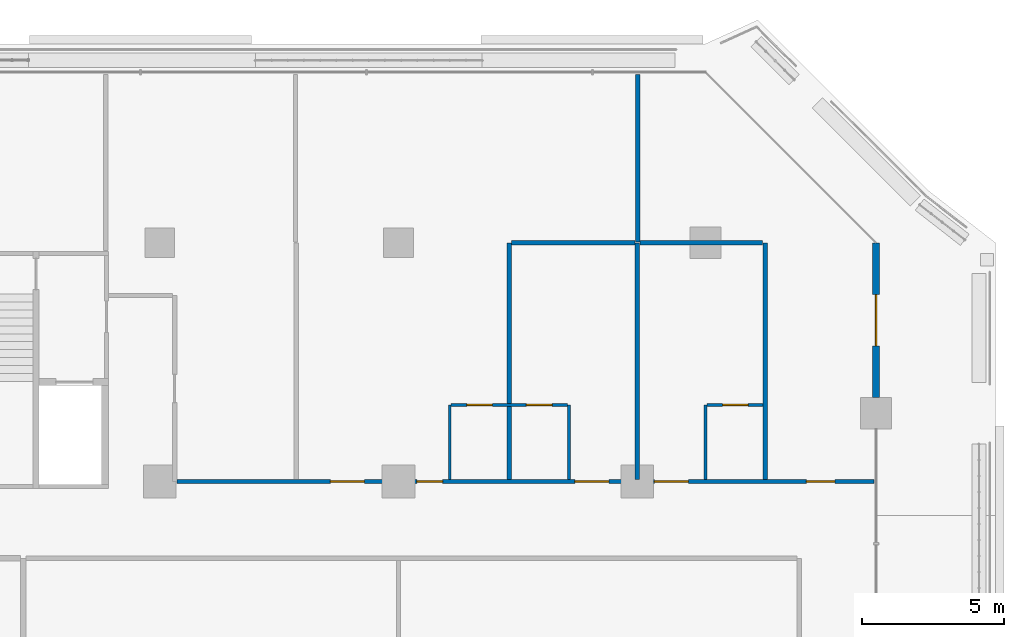
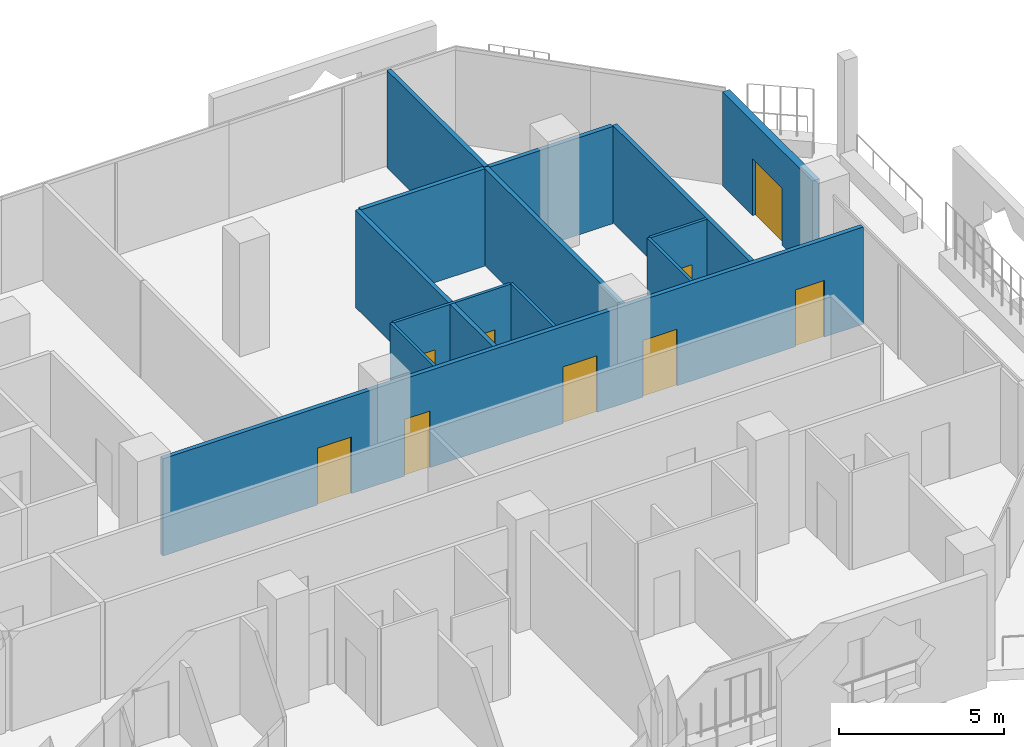
# One storey, part 17 of 26: 13 walls, 9 doors, 9 openings.
"""IFC4 building model written with IfcOpenShell, lengths in metres."""

from ifc_helpers import new_model, si_unit, direction, frame, frame_2d, origin, place, context, subcontext, project, spatial, rectangle, extrude, material, layer, layer_set, type_object, element, fill, save


model = new_model("IFC4")

# Units and contexts
model_context = context("Model", 3, precision=1e-05, world=origin(), true_north=direction((0.0, 1.0)))
body_context = subcontext(model_context, "Body", "Model", "MODEL_VIEW")
ifc_project = project(units=[si_unit("LENGTHUNIT", "METRE"), si_unit("AREAUNIT", "SQUARE_METRE"), si_unit("VOLUMEUNIT", "CUBIC_METRE"), si_unit("PLANEANGLEUNIT", "RADIAN"), si_unit("MASSUNIT", "GRAM", prefix="KILO")], contexts=[model_context])

# Site, building, storey
site_placement = place(None, origin())
site = spatial("IfcSite", under=ifc_project, at=site_placement, CompositionType="ELEMENT")
building_placement = place(site_placement, origin())
building = spatial("IfcBuilding", under=site, at=building_placement, Name="Kawkab Arch Medical Tower", CompositionType="ELEMENT")
storey_placement = place(building_placement, frame((0.0, 0.0, 119.800048828125)))
storey = spatial("IfcBuildingStorey", under=building, at=storey_placement, Name="L27", CompositionType="ELEMENT", Elevation=119.800048828125)

# Wall, opening, door
ifc_material_1 = material(Name="Bronze clad insulated wall panel")
ifc_layer_1 = layer(ifc_material_1, 0.25)
ifc_layer_set_1 = layer_set([ifc_layer_1], Name="Bronze clad insulated wall panel")
wall_type_1 = type_object("IfcWallType", Name="External wall bay 250", PredefinedType="SOLIDWALL", material=ifc_layer_set_1)
wall_1_placement = place(storey_placement, frame((75.60009765625, -5.449951171875, 0.0), z_axis=(0.0, 0.0, 1.0), x_axis=(0.0, 1.0, 0.0)))
wall_1 = element("IfcWall", 1, at=wall_1_placement, inside=storey, type_object=wall_type_1, Name="External wall bay L27.R09.2.1", PredefinedType="SOLIDWALL", context=body_context, shape_type="SweptSolid", body=[
    extrude(rectangle(XDim=5.449951171875, YDim=0.25, at=frame_2d((2.72509765625, 0.0))), origin(), (0.0, 0.0, 1.0), 3.47998046875),
])
opening_1_placement = place(wall_1_placement, frame((1.824951171875, 0.0, 0.0)))
opening_1 = element("IfcOpeningElement", 2, at=opening_1_placement, cuts=wall_1, Name="Opening W27-701", PredefinedType="OPENING", context=body_context, shape_type="SweptSolid", body=[
    extrude(rectangle(XDim=1.800048828125, YDim=2.10009765625, at=frame_2d((0.89990234375, 1.050048828125))), frame((0.0, 0.135009765625, 0.0), z_axis=(0.0, -1.0, 0.0), x_axis=(1.0, 0.0, 0.0)), (0.0, 0.0, 1.0), 0.27001953125),
])
ifc_material_2 = material(Name="Bronze anodised aluminium door with tinted glass", Category="aluminium")
door_type_1 = type_object("IfcDoorType", Name="Double external door 1800 x 2100", OperationType="DOUBLE_DOOR_SINGLE_SWING", PredefinedType="DOOR", material=ifc_material_2)
door_1_placement = place(opening_1_placement, origin())
door_1 = element("IfcDoor", 3, at=door_1_placement, inside=storey, type_object=door_type_1, Name="External door L27.R09.2.1", OperationType="DOUBLE_DOOR_SINGLE_SWING", OverallHeight=2.10009765625, OverallWidth=1.800048828125, PredefinedType="DOOR", context=body_context, shape_type="SweptSolid", body=[
    extrude(rectangle(XDim=1.800048828125, YDim=2.10009765625, at=frame_2d((0.89990234375, 1.050048828125))), frame((0.0, 0.02490234375, 0.0), z_axis=(0.0, -1.0, 0.0), x_axis=(1.0, 0.0, 0.0)), (0.0, 0.0, 1.0), 0.050048828125),
])
fill(opening_1, door_1)

# Wall, openings, doors
ifc_material_3 = material(Name="Gypsum board partition on steel studs", Category="steel")
ifc_layer_2 = layer(ifc_material_3, 0.10009765625)
ifc_layer_set_2 = layer_set([ifc_layer_2], Name="Gypsum board partition on steel studs")
wall_type_2 = type_object("IfcWallType", Name="Partition 100", PredefinedType="PARTITIONING", material=ifc_layer_set_2)
wall_2_placement = place(storey_placement, frame((60.652099609375, -5.699951171875, 0.0), z_axis=(0.0, 0.0, 1.0), x_axis=(1.0, 0.0, 0.0)))
wall_2 = element("IfcWall", 4, at=wall_2_placement, inside=storey, type_object=wall_type_2, Name="Partition 100 w012", PredefinedType="PARTITIONING", context=body_context, shape_type="SweptSolid", body=[
    extrude(rectangle(XDim=4.097900390625, YDim=0.10009765625, at=frame_2d((2.048828125, 0.0))), origin(), (0.0, 0.0, 1.0), 3.599853515625),
])
opening_2_placement = place(wall_2_placement, frame((0.549072265625, 0.0, 0.0)))
opening_2 = element("IfcOpeningElement", 5, at=opening_2_placement, cuts=wall_2, Name="Opening W27-005", PredefinedType="OPENING", context=body_context, shape_type="SweptSolid", body=[
    extrude(rectangle(XDim=0.89990234375, YDim=2.10009765625, at=frame_2d((0.449951171875, 1.050048828125))), frame((0.0, 0.06005859375, 0.0), z_axis=(0.0, -1.0, 0.0), x_axis=(1.0, 0.0, 0.0)), (0.0, 0.0, 1.0), 0.1201171875),
])
opening_3_placement = place(wall_2_placement, frame((2.64794921875, 0.0, 0.0)))
opening_3 = element("IfcOpeningElement", 6, at=opening_3_placement, cuts=wall_2, Name="Opening W27-006", PredefinedType="OPENING", context=body_context, shape_type="SweptSolid", body=[
    extrude(rectangle(XDim=0.89990234375, YDim=2.10009765625, at=frame_2d((0.449951171875, 1.050048828125))), frame((0.0, 0.06005859375, 0.0), z_axis=(0.0, -1.0, 0.0), x_axis=(1.0, 0.0, 0.0)), (0.0, 0.0, 1.0), 0.1201171875),
])
ifc_material_4 = material(Name="Timber door leaf", Category="wood")
door_type_2 = type_object("IfcDoorType", Name="Single door 900x2100", OperationType="NOTDEFINED", PredefinedType="DOOR", material=ifc_material_4)
door_2_placement = place(opening_2_placement, origin())
door_2 = element("IfcDoor", 7, at=door_2_placement, inside=storey, type_object=door_type_2, Name="Door W27-005", OperationType="SINGLE_SWING_LEFT", OverallHeight=2.10009765625, OverallWidth=0.89990234375, PredefinedType="DOOR", context=body_context, shape_type="SweptSolid", body=[
    extrude(rectangle(XDim=0.89990234375, YDim=2.10009765625, at=frame_2d((0.449951171875, 1.050048828125))), frame((0.0, 0.02490234375, 0.0), z_axis=(0.0, -1.0, 0.0), x_axis=(1.0, 0.0, 0.0)), (0.0, 0.0, 1.0), 0.050048828125),
])
fill(opening_2, door_2)
door_3_placement = place(opening_3_placement, origin())
door_3 = element("IfcDoor", 8, at=door_3_placement, inside=storey, type_object=door_type_2, Name="Door W27-006", OperationType="SINGLE_SWING_RIGHT", OverallHeight=2.10009765625, OverallWidth=0.89990234375, PredefinedType="DOOR", context=body_context, shape_type="SweptSolid", body=[
    extrude(rectangle(XDim=0.89990234375, YDim=2.10009765625, at=frame_2d((0.449951171875, 1.050048828125))), frame((0.0, 0.02490234375, 0.0), z_axis=(0.0, -1.0, 0.0), x_axis=(1.0, 0.0, 0.0)), (0.0, 0.0, 1.0), 0.050048828125),
])
fill(opening_3, door_3)

# Wall, opening, door
wall_3_placement = place(storey_placement, frame((69.64990234375, -5.699951171875, 0.0), z_axis=(0.0, 0.0, 1.0), x_axis=(1.0, 0.0, 0.0)))
wall_3 = element("IfcWall", 9, at=wall_3_placement, inside=storey, type_object=wall_type_2, Name="Partition 100 w013", PredefinedType="PARTITIONING", context=body_context, shape_type="SweptSolid", body=[
    extrude(rectangle(XDim=1.97509765625, YDim=0.10009765625, at=frame_2d((0.987548828125, 0.0))), origin(), (0.0, 0.0, 1.0), 3.599853515625),
])
opening_4_placement = place(wall_3_placement, frame((0.550048828125, 0.0, 0.0)))
opening_4 = element("IfcOpeningElement", 10, at=opening_4_placement, cuts=wall_3, Name="Opening W27-007", PredefinedType="OPENING", context=body_context, shape_type="SweptSolid", body=[
    extrude(rectangle(XDim=0.89990234375, YDim=2.10009765625, at=frame_2d((0.449951171875, 1.050048828125))), frame((0.0, 0.06005859375, 0.0), z_axis=(0.0, -1.0, 0.0), x_axis=(1.0, 0.0, 0.0)), (0.0, 0.0, 1.0), 0.1201171875),
])
door_4_placement = place(opening_4_placement, origin())
door_4 = element("IfcDoor", 11, at=door_4_placement, inside=storey, type_object=door_type_2, Name="Door W27-007", OperationType="SINGLE_SWING_LEFT", OverallHeight=2.10009765625, OverallWidth=0.89990234375, PredefinedType="DOOR", context=body_context, shape_type="SweptSolid", body=[
    extrude(rectangle(XDim=0.89990234375, YDim=2.10009765625, at=frame_2d((0.449951171875, 1.050048828125))), frame((0.0, 0.02490234375, 0.0), z_axis=(0.0, -1.0, 0.0), x_axis=(1.0, 0.0, 0.0)), (0.0, 0.0, 1.0), 0.050048828125),
])
fill(opening_4, door_4)

# Walls
wall_4_placement = place(storey_placement, frame((60.60009765625, -8.324951171875, 0.0), z_axis=(0.0, 0.0, 1.0), x_axis=(0.0, 1.0, 0.0)))
element("IfcWall", 12, at=wall_4_placement, inside=storey, type_object=wall_type_2, Name="Partition 100 w024", PredefinedType="PARTITIONING", context=body_context, shape_type="SweptSolid", body=[
    extrude(rectangle(XDim=2.6240234375, YDim=0.10009765625, at=frame_2d((1.31201171875, 0.0))), origin(), (0.0, 0.0, 1.0), 3.599853515625),
])
for number, where, z_axis, x_axis, name in (
    (13, (64.800048828125, -8.324951171875, 0.0), (0.0, 0.0, 1.0), (0.0, 1.0, 0.0), "Partition 100 w026"),
    (14, (69.60009765625, -8.324951171875, 0.0), (0.0, 0.0, 1.0), (0.0, 1.0, 0.0), "Partition 100 w029"),
):
    element("IfcWall", number, at=place(storey_placement, frame(where, z_axis=z_axis, x_axis=x_axis)), inside=storey, type_object=wall_type_2, Name=name, PredefinedType="PARTITIONING", context=body_context, shape_type="SweptSolid", body=[
        extrude(rectangle(XDim=2.625, YDim=0.10009765625, at=frame_2d((1.3125, 0.0))), origin(), (0.0, 0.0, 1.0), 3.599853515625),
    ])

# Wall, openings, doors
ifc_material_5 = material(Name="Gypsum board partition on steel studs, mineral wool", Category="steel")
ifc_layer_3 = layer(ifc_material_5, 0.14990234375)
ifc_layer_set_3 = layer_set([ifc_layer_3], Name="Gypsum board partition on steel studs, mineral wool")
wall_type_3 = type_object("IfcWallType", Name="Partition 150", PredefinedType="PARTITIONING", material=ifc_layer_set_3)
wall_5_placement = place(storey_placement, frame((51.0, -8.39990234375, 0.0), z_axis=(0.0, 0.0, 1.0), x_axis=(1.0, 0.0, 0.0)))
wall_5 = element("IfcWall", 15, at=wall_5_placement, inside=storey, type_object=wall_type_3, Name="Partition 150 w052", PredefinedType="PARTITIONING", context=body_context, shape_type="SweptSolid", body=[
    extrude(rectangle(XDim=24.52001953125, YDim=0.14990234375, at=frame_2d((12.260009765625, 0.0))), origin(), (0.0, 0.0, 1.0), 3.599853515625),
])
opening_5_placement = place(wall_5_placement, frame((5.39990234375, 0.0, 0.0)))
opening_5 = element("IfcOpeningElement", 16, at=opening_5_placement, cuts=wall_5, Name="Opening W27-038", PredefinedType="OPENING", context=body_context, shape_type="SweptSolid", body=[
    extrude(rectangle(XDim=1.199951171875, YDim=2.10009765625, at=frame_2d((0.60009765625, 1.050048828125))), frame((0.0, 0.0849609375, 0.0), z_axis=(0.0, -1.0, 0.0), x_axis=(1.0, 0.0, 0.0)), (0.0, 0.0, 1.0), 0.169921875),
])
opening_6_placement = place(wall_5_placement, frame((8.449951171875, 0.0, 0.0)))
opening_6 = element("IfcOpeningElement", 17, at=opening_6_placement, cuts=wall_5, Name="Opening W27-019", PredefinedType="OPENING", context=body_context, shape_type="SweptSolid", body=[
    extrude(rectangle(XDim=0.89990234375, YDim=2.10009765625, at=frame_2d((0.449951171875, 1.050048828125))), frame((0.0, 0.0849609375, 0.0), z_axis=(0.0, -1.0, 0.0), x_axis=(1.0, 0.0, 0.0)), (0.0, 0.0, 1.0), 0.169921875),
])
opening_7_placement = place(wall_5_placement, frame((14.0, 0.0, 0.0)))
opening_7 = element("IfcOpeningElement", 18, at=opening_7_placement, cuts=wall_5, Name="Opening W27-039", PredefinedType="OPENING", context=body_context, shape_type="SweptSolid", body=[
    extrude(rectangle(XDim=1.199951171875, YDim=2.10009765625, at=frame_2d((0.60009765625, 1.050048828125))), frame((0.0, 0.0849609375, 0.0), z_axis=(0.0, -1.0, 0.0), x_axis=(1.0, 0.0, 0.0)), (0.0, 0.0, 1.0), 0.169921875),
])
opening_8_placement = place(wall_5_placement, frame((16.800048828125, 0.0, 0.0)))
opening_8 = element("IfcOpeningElement", 19, at=opening_8_placement, cuts=wall_5, Name="Opening W27-040", PredefinedType="OPENING", context=body_context, shape_type="SweptSolid", body=[
    extrude(rectangle(XDim=1.199951171875, YDim=2.10009765625, at=frame_2d((0.60009765625, 1.050048828125))), frame((0.0, 0.0849609375, 0.0), z_axis=(0.0, -1.0, 0.0), x_axis=(1.0, 0.0, 0.0)), (0.0, 0.0, 1.0), 0.169921875),
])
opening_9_placement = place(wall_5_placement, frame((22.14990234375, 0.0, 0.0)))
opening_9 = element("IfcOpeningElement", 20, at=opening_9_placement, cuts=wall_5, Name="Opening W27-025", PredefinedType="OPENING", context=body_context, shape_type="SweptSolid", body=[
    extrude(rectangle(XDim=1.0, YDim=2.10009765625, at=frame_2d((0.5, 1.050048828125))), frame((0.0, 0.0849609375, 0.0), z_axis=(0.0, -1.0, 0.0), x_axis=(1.0, 0.0, 0.0)), (0.0, 0.0, 1.0), 0.169921875),
])
ifc_material_6 = material(Name="Hollow metal door leaf")
door_type_3 = type_object("IfcDoorType", Name="Single door 1000x2100 FD30S", OperationType="NOTDEFINED", PredefinedType="DOOR", material=ifc_material_6)
door_5_placement = place(opening_9_placement, origin())
door_5 = element("IfcDoor", 21, at=door_5_placement, inside=storey, type_object=door_type_3, Name="Door W27-025", OperationType="SINGLE_SWING_RIGHT", OverallHeight=2.10009765625, OverallWidth=1.0, PredefinedType="DOOR", context=body_context, shape_type="SweptSolid", body=[
    extrude(rectangle(XDim=1.0, YDim=2.10009765625, at=frame_2d((0.5, 1.050048828125))), frame((0.0, 0.02490234375, 0.0), z_axis=(0.0, -1.0, 0.0), x_axis=(1.0, 0.0, 0.0)), (0.0, 0.0, 1.0), 0.050048828125),
])
fill(opening_9, door_5)
ifc_material_7 = material(Name="Hollow metal door leaf")
door_type_4 = type_object("IfcDoorType", Name="Single door 1200x2100 FD30S", OperationType="NOTDEFINED", PredefinedType="DOOR", material=ifc_material_7)
door_6_placement = place(opening_5_placement, origin())
door_6 = element("IfcDoor", 22, at=door_6_placement, inside=storey, type_object=door_type_4, Name="Door W27-038", OperationType="SINGLE_SWING_LEFT", OverallHeight=2.10009765625, OverallWidth=1.199951171875, PredefinedType="DOOR", context=body_context, shape_type="SweptSolid", body=[
    extrude(rectangle(XDim=1.199951171875, YDim=2.10009765625, at=frame_2d((0.60009765625, 1.050048828125))), frame((0.0, 0.02490234375, 0.0), z_axis=(0.0, -1.0, 0.0), x_axis=(1.0, 0.0, 0.0)), (0.0, 0.0, 1.0), 0.050048828125),
])
fill(opening_5, door_6)
door_7_placement = place(opening_7_placement, origin())
door_7 = element("IfcDoor", 23, at=door_7_placement, inside=storey, type_object=door_type_4, Name="Door W27-039", OperationType="SINGLE_SWING_RIGHT", OverallHeight=2.10009765625, OverallWidth=1.199951171875, PredefinedType="DOOR", context=body_context, shape_type="SweptSolid", body=[
    extrude(rectangle(XDim=1.199951171875, YDim=2.10009765625, at=frame_2d((0.60009765625, 1.050048828125))), frame((0.0, 0.02490234375, 0.0), z_axis=(0.0, -1.0, 0.0), x_axis=(1.0, 0.0, 0.0)), (0.0, 0.0, 1.0), 0.050048828125),
])
fill(opening_7, door_7)
door_8_placement = place(opening_8_placement, origin())
door_8 = element("IfcDoor", 24, at=door_8_placement, inside=storey, type_object=door_type_4, Name="Door W27-040", OperationType="SINGLE_SWING_RIGHT", OverallHeight=2.10009765625, OverallWidth=1.199951171875, PredefinedType="DOOR", context=body_context, shape_type="SweptSolid", body=[
    extrude(rectangle(XDim=1.199951171875, YDim=2.10009765625, at=frame_2d((0.60009765625, 1.050048828125))), frame((0.0, 0.02490234375, 0.0), z_axis=(0.0, -1.0, 0.0), x_axis=(1.0, 0.0, 0.0)), (0.0, 0.0, 1.0), 0.050048828125),
])
fill(opening_8, door_8)
ifc_material_8 = material(Name="Hollow metal door leaf")
door_type_5 = type_object("IfcDoorType", Name="Single door 900x2100 FD30S", OperationType="NOTDEFINED", PredefinedType="DOOR", material=ifc_material_8)
door_9_placement = place(opening_6_placement, origin())
door_9 = element("IfcDoor", 25, at=door_9_placement, inside=storey, type_object=door_type_5, Name="Door W27-019", OperationType="SINGLE_SWING_LEFT", OverallHeight=2.10009765625, OverallWidth=0.89990234375, PredefinedType="DOOR", context=body_context, shape_type="SweptSolid", body=[
    extrude(rectangle(XDim=0.89990234375, YDim=2.10009765625, at=frame_2d((0.449951171875, 1.050048828125))), frame((0.0, 0.02490234375, 0.0), z_axis=(0.0, -1.0, 0.0), x_axis=(1.0, 0.0, 0.0)), (0.0, 0.0, 1.0), 0.050048828125),
])
fill(opening_6, door_9)

# Walls
wall_6_placement = place(storey_placement, frame((62.777099609375, 0.0, 0.0), z_axis=(0.0, 0.0, 1.0), x_axis=(1.0, 0.0, 0.0)))
element("IfcWall", 26, at=wall_6_placement, inside=storey, type_object=wall_type_3, Name="Partition 150 w056", PredefinedType="PARTITIONING", context=body_context, shape_type="SweptSolid", body=[
    extrude(rectangle(XDim=4.347900390625, YDim=0.14990234375, at=frame_2d((2.173828125, 0.0))), origin(), (0.0, 0.0, 1.0), 3.599853515625),
])
wall_7_placement = place(storey_placement, frame((67.294921875, 0.0, 0.0), z_axis=(0.0, 0.0, 1.0), x_axis=(1.0, 0.0, 0.0)))
element("IfcWall", 27, at=wall_7_placement, inside=storey, type_object=wall_type_3, Name="Partition 150 w057", PredefinedType="PARTITIONING", context=body_context, shape_type="SweptSolid", body=[
    extrude(rectangle(XDim=4.31005859375, YDim=0.14990234375, at=frame_2d((2.155029296875, 0.0))), origin(), (0.0, 0.0, 1.0), 3.599853515625),
])
wall_8_placement = place(storey_placement, frame((62.699951171875, -8.324951171875, 0.0), z_axis=(0.0, 0.0, 1.0), x_axis=(0.0, 1.0, 0.0)))
element("IfcWall", 28, at=wall_8_placement, inside=storey, type_object=wall_type_3, Name="Partition 150 w084", PredefinedType="PARTITIONING", context=body_context, shape_type="SweptSolid", body=[
    extrude(rectangle(XDim=8.323974609375, YDim=0.14990234375, at=frame_2d((4.162109375, 0.0))), origin(), (0.0, 0.0, 1.0), 3.599853515625),
])
wall_9_placement = place(storey_placement, frame((67.199951171875, -8.324951171875, 0.0), z_axis=(0.0, 0.0, 1.0), x_axis=(0.0, 1.0, 0.0)))
element("IfcWall", 29, at=wall_9_placement, inside=storey, type_object=wall_type_3, Name="Partition 150 w086", PredefinedType="PARTITIONING", context=body_context, shape_type="SweptSolid", body=[
    extrude(rectangle(XDim=8.324951171875, YDim=0.14990234375, at=frame_2d((4.16259765625, 0.0))), origin(), (0.0, 0.0, 1.0), 3.599853515625),
])
wall_10_placement = place(storey_placement, frame((67.219970703125, 0.02001953125, 0.0), z_axis=(0.0, 0.0, 1.0), x_axis=(0.0, 1.0, 0.0)))
element("IfcWall", 30, at=wall_10_placement, inside=storey, type_object=wall_type_3, Name="Partition 150 w087", PredefinedType="PARTITIONING", context=body_context, shape_type="SweptSolid", body=[
    extrude(rectangle(XDim=5.89990234375, YDim=0.14990234375, at=frame_2d((2.949951171875, 0.0))), origin(), (0.0, 0.0, 1.0), 3.599853515625),
])
wall_11_placement = place(storey_placement, frame((71.699951171875, -8.324951171875, 0.0), z_axis=(0.0, 0.0, 1.0), x_axis=(0.0, 1.0, 0.0)))
element("IfcWall", 31, at=wall_11_placement, inside=storey, type_object=wall_type_3, Name="Partition 150 w089", PredefinedType="PARTITIONING", context=body_context, shape_type="SweptSolid", body=[
    extrude(rectangle(XDim=8.322021484375, YDim=0.14990234375, at=frame_2d((4.1611328125, 0.0))), origin(), (0.0, 0.0, 1.0), 3.599853515625),
])

save(model, "model.ifc")
